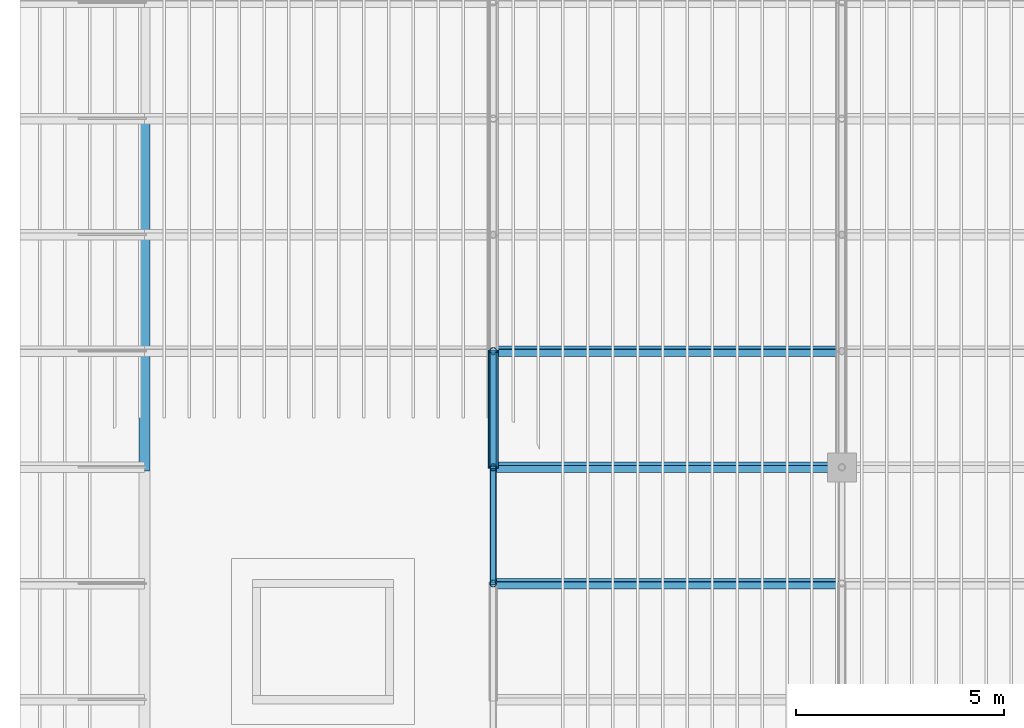
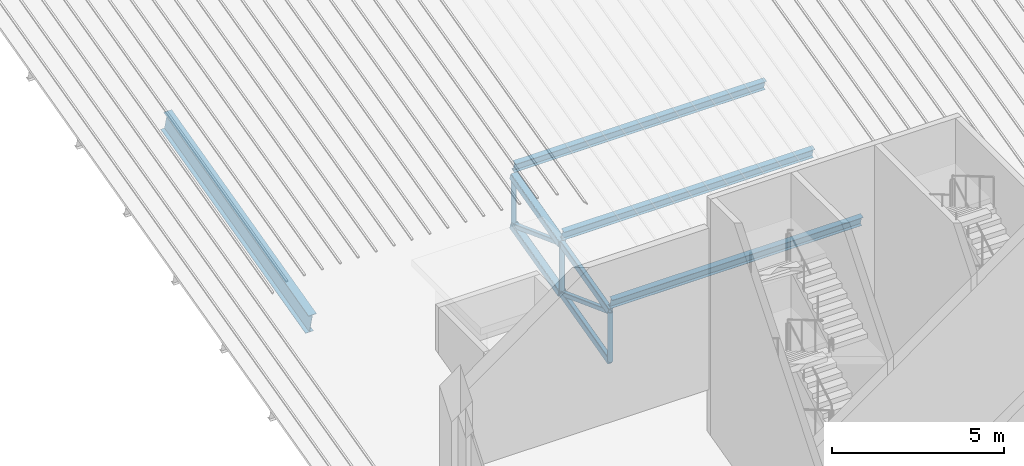
# One storey, part 5 of 114: 12 members, 1 beam.
"""IFC4 building model written with IfcOpenShell, lengths in metres."""

from ifc_helpers import new_model, si_unit, direction, frame, origin, origin_2d, place, context, subcontext, project, spatial, hollow_rectangle, hollow_circle, i_section, extrude, material, material_profile, profile_set, type_object, element, save


model = new_model("IFC4")

# Units and contexts
model_context = context("Model", 3, precision=1e-05, world=origin(), true_north=direction((0.0, 1.0)))
body_context = subcontext(model_context, "Body", "Model", "MODEL_VIEW")
ifc_project = project(units=[si_unit("LENGTHUNIT", "METRE"), si_unit("AREAUNIT", "SQUARE_METRE"), si_unit("VOLUMEUNIT", "CUBIC_METRE"), si_unit("PLANEANGLEUNIT", "RADIAN"), si_unit("MASSUNIT", "GRAM", prefix="KILO")], contexts=[model_context])

# Site, building, storey
site_placement = place(None, origin())
site = spatial("IfcSite", under=ifc_project, at=site_placement, CompositionType="ELEMENT")
building_placement = place(site_placement, origin())
building = spatial("IfcBuilding", under=site, at=building_placement, Name="Almond Square Museum", CompositionType="ELEMENT")
storey_placement = place(building_placement, frame((0.0, 0.0, 10.5)))
storey = spatial("IfcBuildingStorey", under=building, at=storey_placement, Name="L02", CompositionType="ELEMENT", Elevation=10.5)

# Beam
ifc_material_1 = material(Name="Structural steel S355", Category="steel")
ifc_material_profile_1 = material_profile(ifc_material_1, i_section(OverallWidth=0.26708984375, OverallDepth=0.75390625, WebThickness=0.01318359375, FlangeThickness=0.01708984375, at=origin_2d()))
ifc_profile_set_1 = profile_set([ifc_material_profile_1], Name="Structural steel S355")
beam_type = type_object("IfcBeamType", Name="Roof beam W760x147", PredefinedType="BEAM", material=ifc_profile_set_1)
beam_placement = place(storey_placement, frame((6.0, 84.0, 2.8330078125), z_axis=(0.0, 0.969459128151, 0.24525292831), x_axis=(-1.0, 0.0, 0.0)))
element("IfcBeam", 1, at=beam_placement, inside=storey, type_object=beam_type, Name="Auditorium edge beam 1.2", PredefinedType="BEAM", context=body_context, shape_type="SweptSolid", body=[
    extrude(i_section(OverallWidth=0.26708984375, OverallDepth=0.75390625, WebThickness=0.01318359375, FlangeThickness=0.01708984375, at=origin_2d()), origin(), (0.0, 0.0, 1.0), 8.66455078125),
])

# Members
ifc_material_2 = material(Name="Structural steel S355", Category="steel")
ifc_material_profile_2 = material_profile(ifc_material_2, i_section(OverallWidth=0.1708984375, OverallDepth=0.35595703125, WebThickness=0.00732421875, FlangeThickness=0.01171875, at=origin_2d()))
ifc_profile_set_2 = profile_set([ifc_material_profile_2], Name="Structural steel S355")
member_type_1 = type_object("IfcMemberType", Name="Steel purlin W360x51", PredefinedType="PURLIN", material=ifc_profile_set_2)
for number, where, z_axis, x_axis, name in (
    (2, (14.39990234375, 81.199951171875, 2.329833984375), (1.0, 0.0, 0.0), (0.0, 0.969459905022, 0.245249857402), "Auditorium purlin 4.2"),
    (3, (14.39990234375, 84.0, 3.0380859375), (1.0, 0.0, 0.0), (0.0, 0.969459905022, 0.245249857402), "Auditorium purlin 5.2"),
    (4, (14.39990234375, 86.800048828125, 3.74658203125), (1.0, 0.0, 0.0), (0.0, 0.969459905022, 0.245249857402), "Auditorium purlin 6.2"),
):
    element("IfcMember", number, at=place(storey_placement, frame(where, z_axis=z_axis, x_axis=x_axis)), inside=storey, type_object=member_type_1, Name=name, PredefinedType="PURLIN", context=body_context, shape_type="SweptSolid", body=[
        extrude(i_section(OverallWidth=0.1708984375, OverallDepth=0.35595703125, WebThickness=0.00732421875, FlangeThickness=0.01171875, at=origin_2d()), origin(), (0.0, 0.0, 1.0), 8.400146484375),
    ])
ifc_material_3 = material(Name="Structural steel S355", Category="steel")
ifc_material_profile_3 = material_profile(ifc_material_3, hollow_rectangle(XDim=0.14990234375, YDim=0.25, WallThickness=0.010009765625, InnerFilletRadius=0.014892578125, OuterFilletRadius=0.02490234375, at=origin_2d()))
ifc_profile_set_3 = profile_set([ifc_material_profile_3], Name="Structural steel S355")
member_type_2 = type_object("IfcMemberType", Name="Truss chord RHS 250x150x10", PredefinedType="CHORD", material=ifc_profile_set_3)
for number, where, z_axis, x_axis, name in (
    (5, (14.39990234375, 81.199951171875, 2.021240234375), (0.0, 0.969467521681, 0.245219747179), (-1.0, 0.0, 0.0), "TR-13 top chord 3"),
    (6, (14.39990234375, 81.199951171875, 0.271240234375), (0.0, 0.969467521681, 0.245219747179), (-1.0, 0.0, 0.0), "TR-13 bottom chord 3"),
):
    element("IfcMember", number, at=place(storey_placement, frame(where, z_axis=z_axis, x_axis=x_axis)), inside=storey, type_object=member_type_2, Name=name, PredefinedType="CHORD", context=body_context, shape_type="SweptSolid", body=[
        extrude(hollow_rectangle(XDim=0.14990234375, YDim=0.25, WallThickness=0.010009765625, InnerFilletRadius=0.014892578125, OuterFilletRadius=0.02490234375, at=origin_2d()), origin(), (0.0, 0.0, 1.0), 2.88818359375),
    ])
ifc_material_4 = material(Name="Structural steel S355", Category="steel")
ifc_material_profile_4 = material_profile(ifc_material_4, hollow_rectangle(XDim=0.25, YDim=0.25, WallThickness=0.012451171875, InnerFilletRadius=0.02490234375, OuterFilletRadius=0.03759765625, at=origin_2d()))
ifc_profile_set_4 = profile_set([ifc_material_profile_4], Name="Structural steel S355")
member_type_3 = type_object("IfcMemberType", Name="Truss chord SHS 250x250x12.5", PredefinedType="CHORD", material=ifc_profile_set_4)
for number, where, z_axis, x_axis, name in (
    (7, (14.39990234375, 84.0, 2.7294921875), (0.0, 0.969447423453, 0.245299191112), (-1.0, 0.0, 0.0), "TR-13 top chord 4"),
    (8, (14.39990234375, 84.0, 0.9794921875), (0.0, 0.969447423453, 0.245299191112), (-1.0, 0.0, 0.0), "TR-13 bottom chord 4"),
):
    element("IfcMember", number, at=place(storey_placement, frame(where, z_axis=z_axis, x_axis=x_axis)), inside=storey, type_object=member_type_3, Name=name, PredefinedType="CHORD", context=body_context, shape_type="SweptSolid", body=[
        extrude(hollow_rectangle(XDim=0.25, YDim=0.25, WallThickness=0.012451171875, InnerFilletRadius=0.02490234375, OuterFilletRadius=0.03759765625, at=origin_2d()), origin(), (0.0, 0.0, 1.0), 2.88818359375),
    ])
ifc_material_5 = material(Name="Structural steel S355", Category="steel")
ifc_material_profile_5 = material_profile(ifc_material_5, hollow_rectangle(XDim=0.14990234375, YDim=0.14990234375, WallThickness=0.008056640625, InnerFilletRadius=0.011962890625, OuterFilletRadius=0.02001953125, at=origin_2d()))
ifc_profile_set_5 = profile_set([ifc_material_profile_5], Name="Structural steel S355")
member_type_4 = type_object("IfcMemberType", Name="Truss diagonal SHS 150x150x8", PredefinedType="BRACE", material=ifc_profile_set_5)
for number, where, z_axis, x_axis, name in (
    (9, (14.39990234375, 81.199951171875, 2.021240234375), (0.0, 0.937236136552, -0.348695317348), (-1.0, 0.0, 0.0), "TR-13 diagonal 3"),
    (10, (14.39990234375, 84.0, 2.7294921875), (0.0, 0.937262841165, -0.348623531294), (-1.0, 0.0, 0.0), "TR-13 diagonal 4"),
):
    element("IfcMember", number, at=place(storey_placement, frame(where, z_axis=z_axis, x_axis=x_axis)), inside=storey, type_object=member_type_4, Name=name, PredefinedType="BRACE", context=body_context, shape_type="SweptSolid", body=[
        extrude(hollow_rectangle(XDim=0.14990234375, YDim=0.14990234375, WallThickness=0.008056640625, InnerFilletRadius=0.011962890625, OuterFilletRadius=0.02001953125, at=origin_2d()), origin(), (0.0, 0.0, 1.0), 2.987548828125),
    ])
ifc_material_6 = material(Name="Structural steel S355", Category="steel")
ifc_material_profile_6 = material_profile(ifc_material_6, hollow_circle(Radius=0.084228515625, WallThickness=0.008056640625, at=origin_2d()))
ifc_profile_set_6 = profile_set([ifc_material_profile_6], Name="Structural steel S355")
member_type_5 = type_object("IfcMemberType", Name="Truss post CHS 168.3x8", PredefinedType="POST", material=ifc_profile_set_6)
for number, where, z_axis, x_axis, name in (
    (11, (14.39990234375, 81.199951171875, 0.271240234375), (0.0, 0.0, 1.0), (1.0, 0.0, 0.0), "TR-13 post 3"),
    (12, (14.39990234375, 84.0, 0.9794921875), (0.0, 0.0, 1.0), (1.0, 0.0, 0.0), "TR-13 post 4"),
    (13, (14.39990234375, 86.800048828125, 1.68798828125), (0.0, 0.0, 1.0), (1.0, 0.0, 0.0), "TR-13 post 5"),
):
    element("IfcMember", number, at=place(storey_placement, frame(where, z_axis=z_axis, x_axis=x_axis)), inside=storey, type_object=member_type_5, Name=name, PredefinedType="POST", context=body_context, shape_type="SweptSolid", body=[
        extrude(hollow_circle(Radius=0.084228515625, WallThickness=0.008056640625, at=origin_2d()), origin(), (0.0, 0.0, 1.0), 1.75),
    ])

save(model, "model.ifc")
